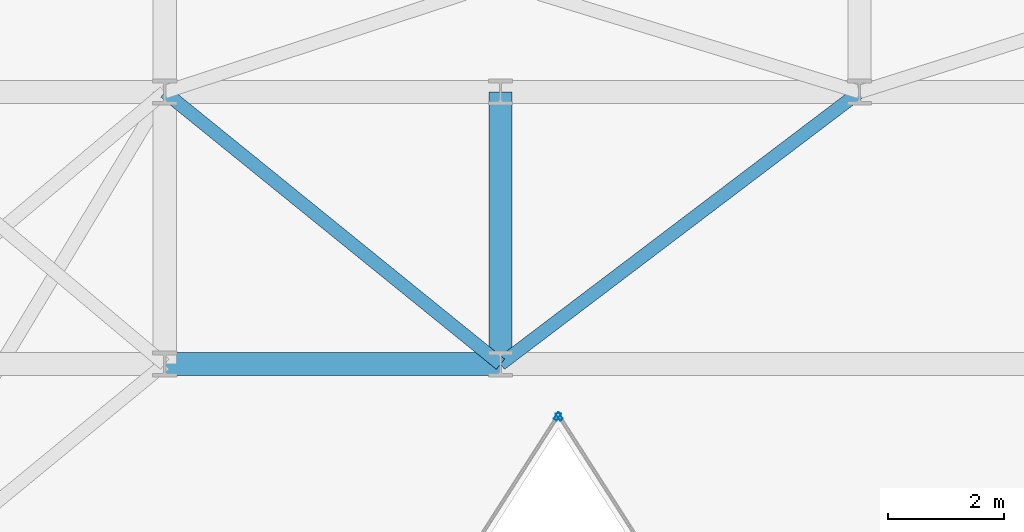
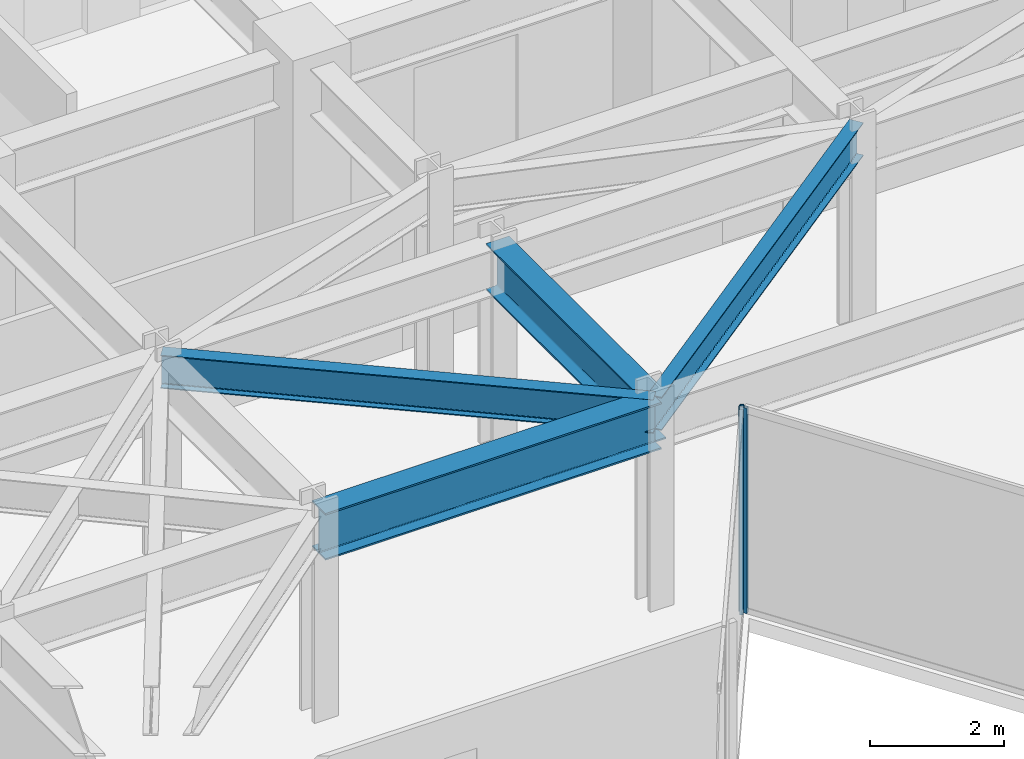
# One storey, part 13 of 26: 4 beams, 2 members, 2 elements without a shape of their own.
"""IFC4 building model written with IfcOpenShell, lengths in metres."""

import ifcopenshell
import ifcopenshell.guid

model = None  # the IFC model being written
_history = None  # IfcOwnerHistory: only IFC2X3 demands one
_inside = {}  # id of a spatial element -> (the spatial element, [elements in it])
_under = {}  # id of a project, library or spatial element -> (it, [spatial elements below it])
_declared = {}  # id of a project -> (the project, [libraries it declares])
_typed = {}  # id of a type object -> (the type object, [elements of that type])
_made_of = {}  # id of a material, layer set ... -> (it, [elements and type objects made of it])


def new_model(schema):
    """Start an empty IFC model of exactly this schema.

    Asked for "IFC4X3", IfcOpenShell would pick the latest addendum, in which some entities
    have other attributes; the version numbers below select the first issue.
    IFC2X3 requires an IfcOwnerHistory on every rooted entity: one is made here for all.
    """
    global model, _history
    if schema == "IFC4X3":
        model = ifcopenshell.file(schema_version=(4, 3, 0, 0))
    else:
        model = ifcopenshell.file(schema=schema)
    _inside.clear()
    _under.clear()
    _declared.clear()
    _typed.clear()
    _made_of.clear()
    _history = None
    if model.schema == "IFC2X3":
        org = make("IfcOrganization", Name="unknown")
        user = make(
            "IfcPersonAndOrganization",
            ThePerson=make("IfcPerson", FamilyName="unknown"),
            TheOrganization=org,
        )
        app = make(
            "IfcApplication",
            ApplicationDeveloper=org,
            Version="unknown",
            ApplicationFullName="unknown",
            ApplicationIdentifier="unknown",
        )
        _history = make(
            "IfcOwnerHistory",
            OwningUser=user,
            OwningApplication=app,
            ChangeAction="ADDED",
            CreationDate=0,
        )
    return model


def make(cls, **values):
    """One entity of the class cls with the attributes given. An attribute that is None is left unset."""
    return model.create_entity(
        cls, **{name: value for name, value in values.items() if value is not None}
    )


def rooted(cls, **values):
    """An entity with a GlobalId (a new one), such as an element, a storey or a relation."""
    return make(cls, GlobalId=ifcopenshell.guid.new(), OwnerHistory=_history, **values)


def si_unit(unit_type, name, prefix=None):
    """IfcSIUnit, for example si_unit("LENGTHUNIT", "METRE", prefix="MILLI")."""
    return make("IfcSIUnit", UnitType=unit_type, Prefix=prefix, Name=name)


def assignment(units):
    """IfcUnitAssignment: the units of a project."""
    return None if units is None else make("IfcUnitAssignment", Units=units)


def point(xyz):
    """IfcCartesianPoint."""
    return None if xyz is None else make("IfcCartesianPoint", Coordinates=xyz)


def direction(xyz):
    """IfcDirection."""
    return None if xyz is None else make("IfcDirection", DirectionRatios=xyz)


def frame(location, z_axis=None, x_axis=None):
    """IfcAxis2Placement3D, a coordinate frame: its origin and axes. An axis left out is left unset."""
    return make(
        "IfcAxis2Placement3D",
        Location=point(location),
        Axis=direction(z_axis),
        RefDirection=direction(x_axis),
    )


def frame_2d(location, x_axis=None):
    """IfcAxis2Placement2D, a coordinate frame in the plane: its origin and x axis."""
    return make(
        "IfcAxis2Placement2D", Location=point(location), RefDirection=direction(x_axis)
    )


def origin():
    """The frame at (0, 0, 0) with its axes left unset."""
    return frame((0.0, 0.0, 0.0))


def origin_2d():
    """The frame at (0, 0) in the plane with its x axis left unset."""
    return frame_2d((0.0, 0.0))


def place(relative_to, where):
    """IfcLocalPlacement: puts the frame where relative to a parent placement (None: the world)."""
    return make(
        "IfcLocalPlacement", PlacementRelTo=relative_to, RelativePlacement=where
    )


def context(
    kind, dimensions, precision=None, world=None, true_north=None, identifier=None
):
    """IfcGeometricRepresentationContext, for example the 3D "Model" context."""
    return make(
        "IfcGeometricRepresentationContext",
        ContextIdentifier=identifier,
        ContextType=kind,
        CoordinateSpaceDimension=dimensions,
        Precision=precision,
        WorldCoordinateSystem=world,
        TrueNorth=true_north,
    )


def subcontext(parent, identifier, kind, view, scale=None):
    """IfcGeometricRepresentationSubContext, for example "Body" below "Model"."""
    return make(
        "IfcGeometricRepresentationSubContext",
        ContextIdentifier=identifier,
        ContextType=kind,
        ParentContext=parent,
        TargetScale=scale,
        TargetView=view,
    )


def project(units=None, contexts=None):
    """IfcProject with its units and contexts."""
    return rooted(
        "IfcProject",
        Name="project",
        RepresentationContexts=contexts,
        UnitsInContext=assignment(units),
    )


def spatial(cls, under=None, at=None, **own):
    """A site, building, storey or space (cls), placed at a placement, below another one or the project."""
    s = rooted(cls, ObjectPlacement=at, **own)
    if under is not None:
        _under.setdefault(under.id(), (under, []))[1].append(s)
    return s


def profile(cls, at=None, kind="AREA", **sizes):
    """A parametric profile (cls). Its sizes go by their IFC names, for example OverallWidth=200.0."""
    return make(cls, ProfileType=kind, Position=at, **sizes)


def hollow_rectangle(**sizes):
    """IfcRectangleHollowProfileDef."""
    return profile("IfcRectangleHollowProfileDef", **sizes)


def i_section(**sizes):
    """IfcIShapeProfileDef."""
    return profile("IfcIShapeProfileDef", **sizes)


def extrude(swept, where, along, depth):
    """IfcExtrudedAreaSolid: the profile swept, set in the frame where, extruded along a direction by depth."""
    return make(
        "IfcExtrudedAreaSolid",
        SweptArea=swept,
        Position=where,
        ExtrudedDirection=direction(along),
        Depth=depth,
    )


def shape(context_of_items, identifier, shape_type, items):
    """IfcShapeRepresentation: the items that make up one representation, for example the "Body"."""
    return make(
        "IfcShapeRepresentation",
        ContextOfItems=context_of_items,
        RepresentationIdentifier=identifier,
        RepresentationType=shape_type,
        Items=items,
    )


def material(Name=None, Category=None):
    """IfcMaterial."""
    return make("IfcMaterial", Name=Name, Category=Category)


def layer(
    of_material, thickness, ventilated=None, Name=None, Category=None, Priority=None
):
    """IfcMaterialLayer: one layer of a wall or slab, of a material (None: an air gap)."""
    return make(
        "IfcMaterialLayer",
        Material=of_material,
        LayerThickness=thickness,
        IsVentilated=ventilated,
        Name=Name,
        Category=Category,
        Priority=Priority,
    )


def layer_set(layers, Name=None):
    """IfcMaterialLayerSet."""
    return make("IfcMaterialLayerSet", MaterialLayers=layers, LayerSetName=Name)


def material_profile(
    of_material, cross_section, Name=None, Category=None, Priority=None
):
    """IfcMaterialProfile: a cross section and its material."""
    return make(
        "IfcMaterialProfile",
        Name=Name,
        Material=of_material,
        Profile=cross_section,
        Priority=Priority,
        Category=Category,
    )


def profile_set(profiles, Name=None, composite=None):
    """IfcMaterialProfileSet."""
    return make(
        "IfcMaterialProfileSet",
        Name=Name,
        MaterialProfiles=profiles,
        CompositeProfile=composite,
    )


def made_of(thing, what):
    """Note that an element or type object is made of a material, layer set ...; save() writes the relation."""
    if what is not None:
        _made_of.setdefault(what.id(), (what, []))[1].append(thing)
    return thing


def type_object(cls, material=None, **own):
    """A type object (cls), such as IfcWallType, which elements share."""
    return made_of(rooted(cls, **own), material)


def element(
    cls,
    number,
    at=None,
    inside=None,
    cuts=None,
    type_object=None,
    material=None,
    context=None,
    identifier="Body",
    shape_type=None,
    held_by="IfcProductDefinitionShape",
    body=None,
    shapes=None,
    **own,
):
    """One element of the class cls, such as IfcWall. Its Tag is "e" and its number.

    at: its placement. inside: the storey or other place that contains it. cuts: it is an
    opening in that element (IfcRelVoidsElement). A single representation is given by context,
    identifier, shape_type and body (its items); several are given by shapes. held_by: the class
    of the entity that holds the representations. save() writes the other relations.
    """
    e = rooted(cls, Tag="e%d" % number, ObjectPlacement=at, **own)
    if body is not None:
        shapes = [shape(context, identifier, shape_type, body)]
    if shapes is not None:
        e.Representation = make(held_by, Representations=shapes)
    if inside is not None:
        _inside.setdefault(inside.id(), (inside, []))[1].append(e)
    if cuts is not None:
        rooted(
            "IfcRelVoidsElement", RelatingBuildingElement=cuts, RelatedOpeningElement=e
        )
    if type_object is not None:
        _typed.setdefault(type_object.id(), (type_object, []))[1].append(e)
    return made_of(e, material)


def aggregate(whole, parts):
    """IfcRelAggregates: a whole, such as a stair, and the parts it consists of."""
    return rooted("IfcRelAggregates", RelatingObject=whole, RelatedObjects=parts)


def save(model, path):
    """Write the relations noted so far, then the file.

    IfcRelAggregates (storeys below a building ...), IfcRelContainedInSpatialStructure (elements
    in a storey), IfcRelDefinesByType, IfcRelAssociatesMaterial and IfcRelDeclares: one each for
    every whole, place, type object, material and project.
    """
    for whole, parts in _under.values():
        aggregate(whole, parts)
    for where, things in _inside.values():
        rooted(
            "IfcRelContainedInSpatialStructure",
            RelatedElements=things,
            RelatingStructure=where,
        )
    for kind, things in _typed.values():
        rooted("IfcRelDefinesByType", RelatedObjects=things, RelatingType=kind)
    for what, things in _made_of.values():
        rooted("IfcRelAssociatesMaterial", RelatedObjects=things, RelatingMaterial=what)
    for by, libraries in _declared.values():
        rooted("IfcRelDeclares", RelatingContext=by, RelatedDefinitions=libraries)
    model.write(path)


model = new_model("IFC4")

# Units and contexts
model_context = context("Model", 3, precision=1e-05, world=origin(), true_north=direction((0.0, 1.0)))
body_context = subcontext(model_context, "Body", "Model", "MODEL_VIEW")
ifc_project = project(units=[si_unit("LENGTHUNIT", "METRE"), si_unit("AREAUNIT", "SQUARE_METRE"), si_unit("VOLUMEUNIT", "CUBIC_METRE"), si_unit("PLANEANGLEUNIT", "RADIAN"), si_unit("MASSUNIT", "GRAM", prefix="KILO")], contexts=[model_context])

# Site, building, storey
site_placement = place(None, origin())
site = spatial("IfcSite", under=ifc_project, at=site_placement, CompositionType="ELEMENT")
building_placement = place(site_placement, origin())
building = spatial("IfcBuilding", under=site, at=building_placement, Name="Kravanh Interchange Tower", CompositionType="ELEMENT")
storey_placement = place(building_placement, frame((0.0, 0.0, 148.0)))
storey = spatial("IfcBuildingStorey", under=building, at=storey_placement, Name="L35", CompositionType="ELEMENT", Elevation=148.0)

# Curtain wall, member
ifc_material_1 = material(Name="Anodised Bronze Aluminium", Category="aluminium")
ifc_layer = layer(ifc_material_1, 0.179931640625)
ifc_layer_set = layer_set([ifc_layer], Name="Unitised Curtain Wall System CW-Z2 Mid Office")
curtain_wall_type = type_object("IfcCurtainWallType", Name="Unitised Curtain Wall System CW-Z2 Mid Office", PredefinedType="NOTDEFINED", material=ifc_layer_set)
curtain_wall_1_placement = place(storey_placement, origin())
curtain_wall_1 = element("IfcCurtainWall", 1, at=curtain_wall_1_placement, inside=storey, type_object=curtain_wall_type, Name="L35 Unitised Curtain Wall CW-L35-04", PredefinedType="NOTDEFINED")
ifc_material_2 = material(Name="Anodised Bronze Aluminium", Category="aluminium")
ifc_material_profile_1 = material_profile(ifc_material_2, hollow_rectangle(XDim=0.06005859375, YDim=0.139892578125, WallThickness=0.00390625, at=origin_2d()), Name="ALU60X140X4")
ifc_profile_set_1 = profile_set([ifc_material_profile_1], Name="Anodised Bronze Aluminium")
member_type = type_object("IfcMemberType", Name="Curtain Wall Mullion ALU60X140X4 Bronze", PredefinedType="MULLION", material=ifc_profile_set_1)
member_1_placement = place(storey_placement, frame((39.6162109375, 25.897216796875, 0.0), z_axis=(0.0, 0.0, 1.0), x_axis=(-0.841879939476, -0.539664865919, 0.0)))
member_1 = element("IfcMember", 2, at=member_1_placement, type_object=member_type, Name="CW-Z2 mullion 5", PredefinedType="MULLION", context=body_context, shape_type="SweptSolid", body=[
    extrude(hollow_rectangle(XDim=0.06005859375, YDim=0.139892578125, WallThickness=0.00390625, at=origin_2d()), origin(), (0.0, 0.0, 1.0), 3.75),
])
aggregate(curtain_wall_1, [member_1])

curtain_wall_2_placement = place(storey_placement, origin())
curtain_wall_2 = element("IfcCurtainWall", 3, at=curtain_wall_2_placement, inside=storey, type_object=curtain_wall_type, Name="L35 Unitised Curtain Wall CW-L35-05", PredefinedType="NOTDEFINED")
member_2_placement = place(storey_placement, frame((39.583740234375, 25.897216796875, 0.0), z_axis=(0.0, 0.0, 1.0), x_axis=(0.841879939476, -0.539664865919, 0.0)))
member_2 = element("IfcMember", 4, at=member_2_placement, type_object=member_type, Name="CW-Z2 mullion 1", PredefinedType="MULLION", context=body_context, shape_type="SweptSolid", body=[
    extrude(hollow_rectangle(XDim=0.06005859375, YDim=0.139892578125, WallThickness=0.00390625, at=origin_2d()), origin(), (0.0, 0.0, 1.0), 3.75),
])
aggregate(curtain_wall_2, [member_2])

# Beams
ifc_material_3 = material(Name="Structural Steel S355", Category="steel")
ifc_material_profile_2 = material_profile(ifc_material_3, i_section(OverallWidth=0.39990234375, OverallDepth=0.85595703125, WebThickness=0.018310546875, FlangeThickness=0.029296875, FilletRadius=0.02490234375, at=origin_2d()), Name="W33X201")
ifc_profile_set_2 = profile_set([ifc_material_profile_2], Name="Structural Steel S355")
beam_type_1 = type_object("IfcBeamType", Name="Floor Beam W33X201 Structural Steel S355", PredefinedType="BEAM", material=ifc_profile_set_2)
beam_1_placement = place(storey_placement, frame((32.800048828125, 26.800048828125, 3.322021484375), z_axis=(1.0, 0.0, 0.0), x_axis=(0.0, 1.0, 0.0)))
element("IfcBeam", 5, at=beam_1_placement, inside=storey, type_object=beam_type_1, Name="L35 Primary Floor Girder 50", PredefinedType="BEAM", context=body_context, shape_type="SweptSolid", body=[
    extrude(i_section(OverallWidth=0.39990234375, OverallDepth=0.85595703125, WebThickness=0.018310546875, FlangeThickness=0.029296875, FilletRadius=0.02490234375, at=origin_2d()), origin(), (0.0, 0.0, 1.0), 5.800048828125),
])
beam_2_placement = place(storey_placement, frame((38.60009765625, 26.800048828125, 3.322021484375), z_axis=(0.0, 1.0, 0.0), x_axis=(-1.0, 0.0, 0.0)))
element("IfcBeam", 6, at=beam_2_placement, inside=storey, type_object=beam_type_1, Name="L35 Primary Floor Girder 53", PredefinedType="BEAM", context=body_context, shape_type="SweptSolid", body=[
    extrude(i_section(OverallWidth=0.39990234375, OverallDepth=0.85595703125, WebThickness=0.018310546875, FlangeThickness=0.029296875, FilletRadius=0.02490234375, at=origin_2d()), origin(), (0.0, 0.0, 1.0), 4.699951171875),
])
ifc_material_4 = material(Name="Structural Steel S355", Category="steel")
ifc_material_profile_3 = material_profile(ifc_material_4, i_section(OverallWidth=0.22802734375, OverallDepth=0.60791015625, WebThickness=0.01123046875, FlangeThickness=0.017333984375, FilletRadius=0.02197265625, at=origin_2d()), Name="W24X76")
ifc_profile_set_3 = profile_set([ifc_material_profile_3], Name="Structural Steel S355")
beam_type_2 = type_object("IfcBeamType", Name="Floor Spandrel W24X76 Structural Steel S355", PredefinedType="SPANDREL", material=ifc_profile_set_3)
beam_3_placement = place(storey_placement, frame((38.60009765625, 26.800048828125, 3.446044921875), z_axis=(-0.776938619557, 0.629576350764, 0.0), x_axis=(-0.629576350764, -0.776938619557, 0.0)))
element("IfcBeam", 7, at=beam_3_placement, inside=storey, type_object=beam_type_2, Name="L35 Perimeter Spandrel 54", PredefinedType="SPANDREL", context=body_context, shape_type="SweptSolid", body=[
    extrude(i_section(OverallWidth=0.22802734375, OverallDepth=0.60791015625, WebThickness=0.01123046875, FlangeThickness=0.017333984375, FilletRadius=0.02197265625, at=origin_2d()), origin(), (0.0, 0.0, 1.0), 7.46533203125),
])
beam_4_placement = place(storey_placement, frame((38.60009765625, 26.800048828125, 3.446044921875), z_axis=(0.796905365509, 0.604104161898, 0.0), x_axis=(-0.604104161898, 0.796905365509, 0.0)))
element("IfcBeam", 8, at=beam_4_placement, inside=storey, type_object=beam_type_2, Name="L35 Perimeter Spandrel 55", PredefinedType="SPANDREL", context=body_context, shape_type="SweptSolid", body=[
    extrude(i_section(OverallWidth=0.22802734375, OverallDepth=0.60791015625, WebThickness=0.01123046875, FlangeThickness=0.017333984375, FilletRadius=0.02197265625, at=origin_2d()), origin(), (0.0, 0.0, 1.0), 7.780029296875),
])

save(model, "model.ifc")
